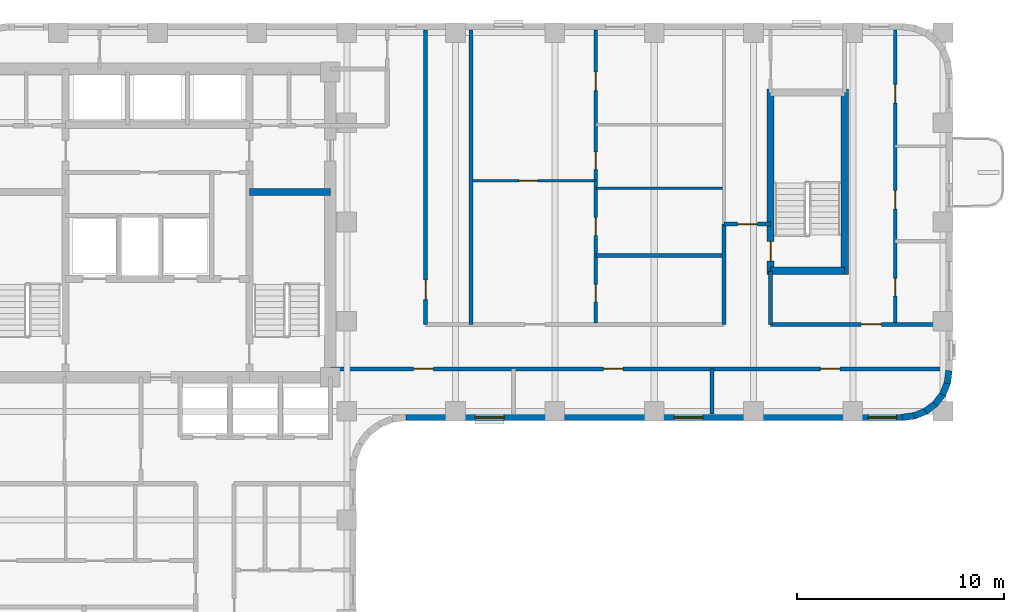
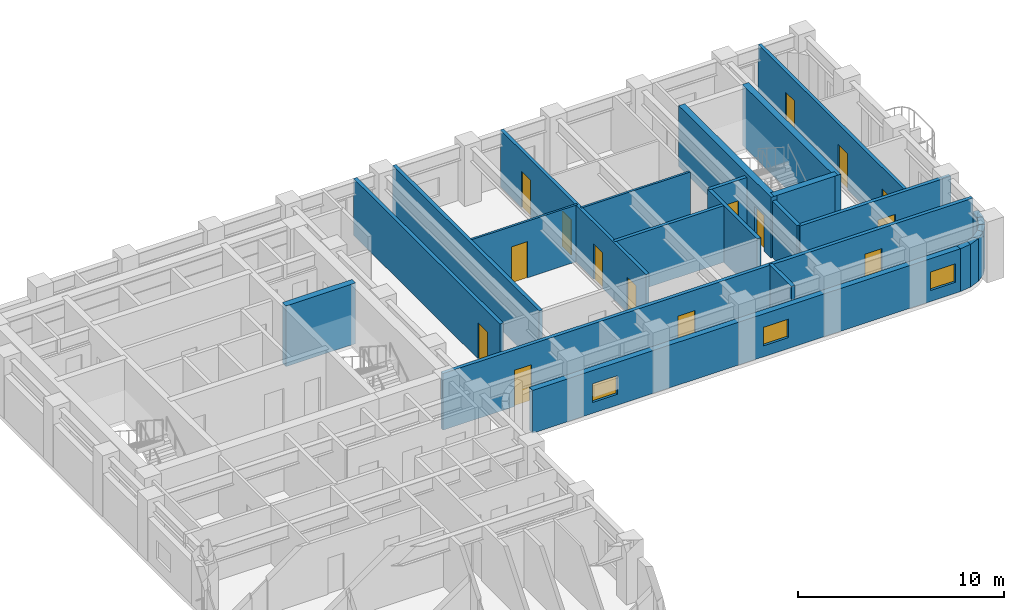
# One storey, part 5 of 10: 24 walls, 15 doors, 3 windows, 18 openings.
"""IFC4 building model written with IfcOpenShell, lengths in metres."""

from ifc_helpers import new_model, si_unit, direction, frame, frame_2d, origin, place, context, subcontext, project, spatial, rectangle, extrude, material, layer, layer_set, type_object, element, fill, save


model = new_model("IFC4")

# Units and contexts
model_context = context("Model", 3, precision=1e-05, world=origin(), true_north=direction((0.0, 1.0)))
body_context = subcontext(model_context, "Body", "Model", "MODEL_VIEW")
ifc_project = project(units=[si_unit("LENGTHUNIT", "METRE"), si_unit("AREAUNIT", "SQUARE_METRE"), si_unit("VOLUMEUNIT", "CUBIC_METRE"), si_unit("PLANEANGLEUNIT", "RADIAN"), si_unit("MASSUNIT", "GRAM", prefix="KILO")], contexts=[model_context])

# Site, building, storey
site_placement = place(None, origin())
site = spatial("IfcSite", under=ifc_project, at=site_placement, CompositionType="ELEMENT")
building_placement = place(site_placement, origin())
building = spatial("IfcBuilding", under=site, at=building_placement, Name="Orvandelia Arch Residences", CompositionType="ELEMENT")
storey_placement = place(building_placement, frame((0.0, 0.0, 139.60009765625)))
storey = spatial("IfcBuildingStorey", under=building, at=storey_placement, Name="L36", CompositionType="ELEMENT", Elevation=139.60009765625)

# Wall
ifc_material_1 = material(Name="Concrete C50/60", Category="concrete")
ifc_layer_1 = layer(ifc_material_1, 0.35009765625, Name="Concrete C50/60", Category="concrete")
ifc_layer_set_1 = layer_set([ifc_layer_1], Name="Concrete C50/60")
wall_type_1 = type_object("IfcWallType", Name="WL-CORE-350", PredefinedType="SHEAR", material=ifc_layer_set_1)
wall_1_placement = place(storey_placement, frame((18.840087890625, 39.85009765625, 0.0), z_axis=(0.0, 0.0, 1.0), x_axis=(1.0, 0.0, 0.0)))
element("IfcWall", 1, at=wall_1_placement, inside=storey, type_object=wall_type_1, Name="Core Shear Wall L36-HZ2", PredefinedType="SHEAR", context=body_context, shape_type="SweptSolid", body=[
    extrude(rectangle(XDim=3.909912109375, YDim=0.35009765625, at=frame_2d((1.955078125, 0.0))), origin(), (0.0, 0.0, 1.0), 3.599853515625),
])

# Wall, opening, door
wall_2_placement = place(storey_placement, frame((44.02001953125, 35.864990234375, 0.0), z_axis=(0.0, 0.0, 1.0), x_axis=(0.0, 1.0, 0.0)))
wall_2 = element("IfcWall", 2, at=wall_2_placement, inside=storey, type_object=wall_type_1, Name="East Stair Core Shear Wall L36-W", PredefinedType="SHEAR", context=body_context, shape_type="SweptSolid", body=[
    extrude(rectangle(XDim=8.969970703125, YDim=0.35009765625, at=frame_2d((4.48486328125, 0.0))), origin(), (0.0, 0.0, 1.0), 3.599853515625),
])
opening_1_placement = place(wall_2_placement, frame((0.64990234375, 0.0, 0.0)))
opening_1 = element("IfcOpeningElement", 3, at=opening_1_placement, cuts=wall_2, Name="Opening D7", PredefinedType="OPENING", context=body_context, shape_type="SweptSolid", body=[
    extrude(rectangle(XDim=0.949951171875, YDim=2.10009765625, at=frame_2d((0.47509765625, 1.050048828125))), frame((0.0, 0.18505859375, 0.0), z_axis=(0.0, -1.0, 0.0), x_axis=(1.0, 0.0, 0.0)), (0.0, 0.0, 1.0), 0.3701171875),
])
ifc_material_2 = material(Name="Pressurised Stairwell Fire Door")
door_type_1 = type_object("IfcDoorType", Name="DR-STAIR-950", OperationType="NOTDEFINED", PredefinedType="DOOR", material=ifc_material_2)
door_1_placement = place(opening_1_placement, origin())
door_1 = element("IfcDoor", 4, at=door_1_placement, inside=storey, type_object=door_type_1, Name="East Stairwell ST-3 Fire Door L36", OperationType="SINGLE_SWING_LEFT", OverallHeight=2.10009765625, OverallWidth=0.949951171875, PredefinedType="DOOR", context=body_context, shape_type="SweptSolid", body=[
    extrude(rectangle(XDim=0.949951171875, YDim=2.10009765625, at=frame_2d((0.47509765625, 1.050048828125))), frame((0.0, 0.02490234375, 0.0), z_axis=(0.0, -1.0, 0.0), x_axis=(1.0, 0.0, 0.0)), (0.0, 0.0, 1.0), 0.050048828125),
])
fill(opening_1, door_1)

# Walls
wall_3_placement = place(storey_placement, frame((47.60009765625, 35.864990234375, 0.0), z_axis=(0.0, 0.0, 1.0), x_axis=(0.0, 1.0, 0.0)))
element("IfcWall", 5, at=wall_3_placement, inside=storey, type_object=wall_type_1, Name="East Stair Core Shear Wall L36-E", PredefinedType="SHEAR", context=body_context, shape_type="SweptSolid", body=[
    extrude(rectangle(XDim=8.969970703125, YDim=0.35009765625, at=frame_2d((4.48486328125, 0.0))), origin(), (0.0, 0.0, 1.0), 3.599853515625),
])
wall_4_placement = place(storey_placement, frame((44.02001953125, 36.0400390625, 0.0), z_axis=(0.0, 0.0, 1.0), x_axis=(1.0, 0.0, 0.0)))
element("IfcWall", 6, at=wall_4_placement, inside=storey, type_object=wall_type_1, Name="East Stair Core Shear Wall L36-S", PredefinedType="SHEAR", context=body_context, shape_type="SweptSolid", body=[
    extrude(rectangle(XDim=3.580078125, YDim=0.35009765625, at=frame_2d((1.7900390625, 0.0))), origin(), (0.0, 0.0, 1.0), 3.599853515625),
])

# Wall, openings, doors
ifc_material_3 = material(Name="Fire-Rated Corridor Partition")
ifc_layer_2 = layer(ifc_material_3, 0.199951171875, Name="Fire-Rated Corridor Partition")
ifc_layer_set_2 = layer_set([ifc_layer_2], Name="Fire-Rated Corridor Partition")
wall_type_2 = type_object("IfcWallType", Name="WL-CORR-200", PredefinedType="PARTITIONING", material=ifc_layer_set_2)
wall_5_placement = place(storey_placement, frame((22.75, 31.300048828125, 0.0), z_axis=(0.0, 0.0, 1.0), x_axis=(1.0, 0.0, 0.0)))
wall_5 = element("IfcWall", 7, at=wall_5_placement, inside=storey, type_object=wall_type_2, Name="Interior Partition Wall WL-L36-ES-S", PredefinedType="PARTITIONING", context=body_context, shape_type="SweptSolid", body=[
    extrude(rectangle(XDim=29.72998046875, YDim=0.199951171875, at=frame_2d((14.864990234375, 0.0))), origin(), (0.0, 0.0, 1.0), 3.35986328125),
])
opening_2_placement = place(wall_5_placement, frame((4.02490234375, 0.0, 0.0)))
opening_2 = element("IfcOpeningElement", 8, at=opening_2_placement, cuts=wall_5, Name="Opening D2", PredefinedType="OPENING", context=body_context, shape_type="SweptSolid", body=[
    extrude(rectangle(XDim=0.949951171875, YDim=2.14990234375, at=frame_2d((0.47509765625, 1.074951171875))), frame((0.0, 0.10986328125, 0.0), z_axis=(0.0, -1.0, 0.0), x_axis=(1.0, 0.0, 0.0)), (0.0, 0.0, 1.0), 0.219970703125),
])
opening_3_placement = place(wall_5_placement, frame((13.199951171875, 0.0, 0.0)))
opening_3 = element("IfcOpeningElement", 9, at=opening_3_placement, cuts=wall_5, Name="Opening D2", PredefinedType="OPENING", context=body_context, shape_type="SweptSolid", body=[
    extrude(rectangle(XDim=0.949951171875, YDim=2.14990234375, at=frame_2d((0.47509765625, 1.074951171875))), frame((0.0, 0.10986328125, 0.0), z_axis=(0.0, -1.0, 0.0), x_axis=(1.0, 0.0, 0.0)), (0.0, 0.0, 1.0), 0.219970703125),
])
opening_4_placement = place(wall_5_placement, frame((23.679931640625, 0.0, 0.0)))
opening_4 = element("IfcOpeningElement", 10, at=opening_4_placement, cuts=wall_5, Name="Opening D2", PredefinedType="OPENING", context=body_context, shape_type="SweptSolid", body=[
    extrude(rectangle(XDim=0.949951171875, YDim=2.14990234375, at=frame_2d((0.47509765625, 1.074951171875))), frame((0.0, 0.10986328125, 0.0), z_axis=(0.0, -1.0, 0.0), x_axis=(1.0, 0.0, 0.0)), (0.0, 0.0, 1.0), 0.219970703125),
])
ifc_material_4 = material(Name="Solid-Core Timber Interior Fire Door", Category="wood")
door_type_2 = type_object("IfcDoorType", Name="DR-APT-950", OperationType="NOTDEFINED", PredefinedType="DOOR", material=ifc_material_4)
door_2_placement = place(opening_2_placement, origin())
door_2 = element("IfcDoor", 11, at=door_2_placement, inside=storey, type_object=door_type_2, Name="DR-L36-ESS-1", OperationType="SINGLE_SWING_LEFT", OverallHeight=2.14990234375, OverallWidth=0.949951171875, PredefinedType="DOOR", context=body_context, shape_type="SweptSolid", body=[
    extrude(rectangle(XDim=0.949951171875, YDim=2.14990234375, at=frame_2d((0.47509765625, 1.074951171875))), frame((0.0, 0.02490234375, 0.0), z_axis=(0.0, -1.0, 0.0), x_axis=(1.0, 0.0, 0.0)), (0.0, 0.0, 1.0), 0.050048828125),
])
fill(opening_2, door_2)
door_3_placement = place(opening_3_placement, origin())
door_3 = element("IfcDoor", 12, at=door_3_placement, inside=storey, type_object=door_type_2, Name="DR-L36-ESS-2", OperationType="SINGLE_SWING_RIGHT", OverallHeight=2.14990234375, OverallWidth=0.949951171875, PredefinedType="DOOR", context=body_context, shape_type="SweptSolid", body=[
    extrude(rectangle(XDim=0.949951171875, YDim=2.14990234375, at=frame_2d((0.47509765625, 1.074951171875))), frame((0.0, 0.02490234375, 0.0), z_axis=(0.0, -1.0, 0.0), x_axis=(1.0, 0.0, 0.0)), (0.0, 0.0, 1.0), 0.050048828125),
])
fill(opening_3, door_3)
door_4_placement = place(opening_4_placement, origin())
door_4 = element("IfcDoor", 13, at=door_4_placement, inside=storey, type_object=door_type_2, Name="DR-L36-ESS-3", OperationType="SINGLE_SWING_LEFT", OverallHeight=2.14990234375, OverallWidth=0.949951171875, PredefinedType="DOOR", context=body_context, shape_type="SweptSolid", body=[
    extrude(rectangle(XDim=0.949951171875, YDim=2.14990234375, at=frame_2d((0.47509765625, 1.074951171875))), frame((0.0, 0.02490234375, 0.0), z_axis=(0.0, -1.0, 0.0), x_axis=(1.0, 0.0, 0.0)), (0.0, 0.0, 1.0), 0.050048828125),
])
fill(opening_4, door_4)

# Wall, opening, door
wall_6_placement = place(storey_placement, frame((44.02001953125, 33.449951171875, 0.0), z_axis=(0.0, 0.0, 1.0), x_axis=(1.0, 0.0, 0.0)))
wall_6 = element("IfcWall", 14, at=wall_6_placement, inside=storey, type_object=wall_type_2, Name="Interior Partition Wall WL-L36-ES-N2", PredefinedType="PARTITIONING", context=body_context, shape_type="SweptSolid", body=[
    extrude(rectangle(XDim=8.4599609375, YDim=0.199951171875, at=frame_2d((4.22998046875, 0.0))), origin(), (0.0, 0.0, 1.0), 3.35986328125),
])
opening_5_placement = place(wall_6_placement, frame((4.37158203125, 0.0, 0.0)))
opening_5 = element("IfcOpeningElement", 15, at=opening_5_placement, cuts=wall_6, Name="Opening D1", PredefinedType="OPENING", context=body_context, shape_type="SweptSolid", body=[
    extrude(rectangle(XDim=0.97998046875, YDim=2.179931640625, at=frame_2d((0.489990234375, 1.08984375))), frame((0.0, 0.10986328125, 0.0), z_axis=(0.0, -1.0, 0.0), x_axis=(1.0, 0.0, 0.0)), (0.0, 0.0, 1.0), 0.219970703125),
])
ifc_material_5 = material(Name="Solid-Core Timber Acoustic Fire Door", Category="wood")
door_type_3 = type_object("IfcDoorType", Name="DR-ENT-980", OperationType="NOTDEFINED", PredefinedType="DOOR", material=ifc_material_5)
door_5_placement = place(opening_5_placement, origin())
door_5 = element("IfcDoor", 16, at=door_5_placement, inside=storey, type_object=door_type_3, Name="Unit L36-07 Entrance Door", OperationType="SINGLE_SWING_LEFT", OverallHeight=2.179931640625, OverallWidth=0.97998046875, PredefinedType="DOOR", context=body_context, shape_type="SweptSolid", body=[
    extrude(rectangle(XDim=0.97998046875, YDim=2.179931640625, at=frame_2d((0.489990234375, 1.08984375))), frame((0.0, 0.02490234375, 0.0), z_axis=(0.0, -1.0, 0.0), x_axis=(1.0, 0.0, 0.0)), (0.0, 0.0, 1.0), 0.050048828125),
])
fill(opening_5, door_5)

wall_7_placement = place(storey_placement, frame((27.35009765625, 33.449951171875, 0.0), z_axis=(0.0, 0.0, 1.0), x_axis=(0.0, 1.0, 0.0)))
wall_7 = element("IfcWall", 17, at=wall_7_placement, inside=storey, type_object=wall_type_2, Name="Interior Partition Wall WL-L36-ES-NCE", PredefinedType="PARTITIONING", context=body_context, shape_type="SweptSolid", body=[
    extrude(rectangle(XDim=14.22998046875, YDim=0.199951171875, at=frame_2d((7.114990234375, 0.0))), origin(), (0.0, 0.0, 1.0), 3.35986328125),
])
opening_6_placement = place(wall_7_placement, frame((1.199951171875, 0.0, 0.0)))
opening_6 = element("IfcOpeningElement", 18, at=opening_6_placement, cuts=wall_7, Name="Opening D2", PredefinedType="OPENING", context=body_context, shape_type="SweptSolid", body=[
    extrude(rectangle(XDim=0.949951171875, YDim=2.14990234375, at=frame_2d((0.47509765625, 1.074951171875))), frame((0.0, 0.10986328125, 0.0), z_axis=(0.0, -1.0, 0.0), x_axis=(1.0, 0.0, 0.0)), (0.0, 0.0, 1.0), 0.219970703125),
])
door_6_placement = place(opening_6_placement, origin())
door_6 = element("IfcDoor", 19, at=door_6_placement, inside=storey, type_object=door_type_2, Name="DR-L36-ESLDY", OperationType="SINGLE_SWING_RIGHT", OverallHeight=2.14990234375, OverallWidth=0.949951171875, PredefinedType="DOOR", context=body_context, shape_type="SweptSolid", body=[
    extrude(rectangle(XDim=0.949951171875, YDim=2.14990234375, at=frame_2d((0.47509765625, 1.074951171875))), frame((0.0, 0.02490234375, 0.0), z_axis=(0.0, -1.0, 0.0), x_axis=(1.0, 0.0, 0.0)), (0.0, 0.0, 1.0), 0.050048828125),
])
fill(opening_6, door_6)

# Wall
wall_8_placement = place(storey_placement, frame((41.780029296875, 33.449951171875, 0.0), z_axis=(0.0, 0.0, 1.0), x_axis=(0.0, 1.0, 0.0)))
element("IfcWall", 20, at=wall_8_placement, inside=storey, type_object=wall_type_2, Name="Interior Partition Wall WL-L36-ES-SW", PredefinedType="PARTITIONING", context=body_context, shape_type="SweptSolid", body=[
    extrude(rectangle(XDim=4.85009765625, YDim=0.199951171875, at=frame_2d((2.425048828125, 0.0))), origin(), (0.0, 0.0, 1.0), 3.35986328125),
])

# Wall, opening, door
wall_9_placement = place(storey_placement, frame((41.780029296875, 38.300048828125, 0.0), z_axis=(0.0, 0.0, 1.0), x_axis=(1.0, 0.0, 0.0)))
wall_9 = element("IfcWall", 21, at=wall_9_placement, inside=storey, type_object=wall_type_2, Name="Interior Partition Wall WL-L36-ES-SN", PredefinedType="PARTITIONING", context=body_context, shape_type="SweptSolid", body=[
    extrude(rectangle(XDim=2.239990234375, YDim=0.199951171875, at=frame_2d((1.1201171875, 0.0))), origin(), (0.0, 0.0, 1.0), 3.35986328125),
])
opening_7_placement = place(wall_9_placement, frame((0.64990234375, 0.0, 0.0)))
opening_7 = element("IfcOpeningElement", 22, at=opening_7_placement, cuts=wall_9, Name="Opening D2", PredefinedType="OPENING", context=body_context, shape_type="SweptSolid", body=[
    extrude(rectangle(XDim=0.949951171875, YDim=2.14990234375, at=frame_2d((0.47509765625, 1.074951171875))), frame((0.0, 0.10986328125, 0.0), z_axis=(0.0, -1.0, 0.0), x_axis=(1.0, 0.0, 0.0)), (0.0, 0.0, 1.0), 0.219970703125),
])
door_7_placement = place(opening_7_placement, origin())
door_7 = element("IfcDoor", 23, at=door_7_placement, inside=storey, type_object=door_type_2, Name="DR-L36-ESSPK", OperationType="SINGLE_SWING_LEFT", OverallHeight=2.14990234375, OverallWidth=0.949951171875, PredefinedType="DOOR", context=body_context, shape_type="SweptSolid", body=[
    extrude(rectangle(XDim=0.949951171875, YDim=2.14990234375, at=frame_2d((0.47509765625, 1.074951171875))), frame((0.0, 0.02490234375, 0.0), z_axis=(0.0, -1.0, 0.0), x_axis=(1.0, 0.0, 0.0)), (0.0, 0.0, 1.0), 0.050048828125),
])
fill(opening_7, door_7)

# Walls
ifc_material_6 = material(Name="Concrete C40/50", Category="concrete")
ifc_layer_3 = layer(ifc_material_6, 0.199951171875, Name="Concrete C40/50", Category="concrete")
ifc_layer_set_3 = layer_set([ifc_layer_3], Name="Concrete C40/50")
wall_type_3 = type_object("IfcWallType", Name="WL-DEM-200", PredefinedType="SOLIDWALL", material=ifc_layer_set_3)
wall_10_placement = place(storey_placement, frame((41.199951171875, 29.1201171875, 0.0), z_axis=(0.0, 0.0, 1.0), x_axis=(0.0, 1.0, 0.0)))
element("IfcWall", 24, at=wall_10_placement, inside=storey, type_object=wall_type_3, Name="Interior Partition Wall WL-L36-ESSD-2", PredefinedType="SOLIDWALL", context=body_context, shape_type="SweptSolid", body=[
    extrude(rectangle(XDim=2.179931640625, YDim=0.199951171875, at=frame_2d((1.08984375, 0.0))), origin(), (0.0, 0.0, 1.0), 3.35986328125),
])
wall_11_placement = place(storey_placement, frame((29.550048828125, 33.449951171875, 0.0), z_axis=(0.0, 0.0, 1.0), x_axis=(0.0, 1.0, 0.0)))
element("IfcWall", 25, at=wall_11_placement, inside=storey, type_object=wall_type_3, Name="Interior Partition Wall WL-L36-ES-LDE", PredefinedType="SOLIDWALL", context=body_context, shape_type="SweptSolid", body=[
    extrude(rectangle(XDim=14.22998046875, YDim=0.199951171875, at=frame_2d((7.114990234375, 0.0))), origin(), (0.0, 0.0, 1.0), 3.35986328125),
])
wall_12_placement = place(storey_placement, frame((44.02001953125, 33.449951171875, 0.0), z_axis=(0.0, 0.0, 1.0), x_axis=(0.0, 1.0, 0.0)))
element("IfcWall", 26, at=wall_12_placement, inside=storey, type_object=wall_type_3, Name="Interior Partition Wall WL-L36-ES-NST3S", PredefinedType="SOLIDWALL", context=body_context, shape_type="SweptSolid", body=[
    extrude(rectangle(XDim=2.590087890625, YDim=0.199951171875, at=frame_2d((1.294921875, 0.0))), origin(), (0.0, 0.0, 1.0), 3.35986328125),
])
ifc_material_7 = material(Name="Precast concrete C40/50", Category="concrete")
ifc_layer_4 = layer(ifc_material_7, 0.320068359375, Name="Precast concrete C40/50", Category="concrete")
ifc_layer_set_4 = layer_set([ifc_layer_4], Name="Precast concrete C40/50")
wall_type_4 = type_object("IfcWallType", Name="WL-EXT-STONE-320", PredefinedType="STANDARD", material=ifc_layer_set_4)
wall_13_placement = place(storey_placement, frame((52.641357421875, 31.220947265625, 0.0), z_axis=(0.0, 0.0, 1.0), x_axis=(-0.130504898859, -0.991447664465, 0.0)))
element("IfcWall", 27, at=wall_13_placement, inside=storey, type_object=wall_type_4, Name="Coral-Limestone Precast Facade Wall L36-015", PredefinedType="STANDARD", context=body_context, shape_type="SweptSolid", body=[
    extrude(rectangle(XDim=0.626708984375, YDim=0.320068359375, at=frame_2d((0.3134765625, 0.0))), origin(), (0.0, 0.0, 1.0), 2.539794921875),
])
wall_14_placement = place(storey_placement, frame((52.5703125, 30.639892578125, 0.0), z_axis=(0.0, 0.0, 1.0), x_axis=(-0.382455093999, -0.923974080304, 0.0)))
element("IfcWall", 28, at=wall_14_placement, inside=storey, type_object=wall_type_4, Name="Coral-Limestone Precast Facade Wall L36-016", PredefinedType="STANDARD", context=body_context, shape_type="SweptSolid", body=[
    extrude(rectangle(XDim=0.626220703125, YDim=0.320068359375, at=frame_2d((0.31298828125, 0.0))), origin(), (0.0, 0.0, 1.0), 2.539794921875),
])
wall_15_placement = place(storey_placement, frame((52.3515625, 30.097412109375, 0.0), z_axis=(0.0, 0.0, 1.0), x_axis=(-0.608693302629, -0.793405610854, 0.0)))
element("IfcWall", 29, at=wall_15_placement, inside=storey, type_object=wall_type_4, Name="Coral-Limestone Precast Facade Wall L36-017", PredefinedType="STANDARD", context=body_context, shape_type="SweptSolid", body=[
    extrude(rectangle(XDim=0.62646484375, YDim=0.320068359375, at=frame_2d((0.313232421875, 0.0))), origin(), (0.0, 0.0, 1.0), 2.539794921875),
])
wall_16_placement = place(storey_placement, frame((51.999755859375, 29.6298828125, 0.0), z_axis=(0.0, 0.0, 1.0), x_axis=(-0.7932174212, -0.608938521285, 0.0)))
element("IfcWall", 30, at=wall_16_placement, inside=storey, type_object=wall_type_4, Name="Coral-Limestone Precast Facade Wall L36-018", PredefinedType="STANDARD", context=body_context, shape_type="SweptSolid", body=[
    extrude(rectangle(XDim=0.626708984375, YDim=0.320068359375, at=frame_2d((0.3134765625, 0.0))), origin(), (0.0, 0.0, 1.0), 2.539794921875),
])
for number, where, z_axis, x_axis, name in (
    (31, (51.538818359375, 29.269287109375, 0.0), (0.0, 0.0, 1.0), (-0.92389335771, -0.382650053678, 0.0), "Coral-Limestone Precast Facade Wall L36-019"),
    (32, (51.000244140625, 29.040283203125, 0.0), (0.0, 0.0, 1.0), (-0.9914410257, -0.130555323746, 0.0), "Coral-Limestone Precast Facade Wall L36-020"),
):
    element("IfcWall", number, at=place(storey_placement, frame(where, z_axis=z_axis, x_axis=x_axis)), inside=storey, type_object=wall_type_4, Name=name, PredefinedType="STANDARD", context=body_context, shape_type="SweptSolid", body=[
        extrude(rectangle(XDim=0.62646484375, YDim=0.320068359375, at=frame_2d((0.313232421875, 0.0))), origin(), (0.0, 0.0, 1.0), 2.539794921875),
    ])

# Wall, openings, windows
wall_17_placement = place(storey_placement, frame((50.39990234375, 28.9599609375, 0.0), z_axis=(0.0, 0.0, 1.0), x_axis=(-1.0, 0.0, 0.0)))
wall_17 = element("IfcWall", 33, at=wall_17_placement, inside=storey, type_object=wall_type_4, Name="Coral-Limestone Precast Facade Wall L36-021", PredefinedType="STANDARD", context=body_context, shape_type="SweptSolid", body=[
    extrude(rectangle(XDim=24.0, YDim=0.320068359375, at=frame_2d((12.0, 0.0))), origin(), (0.0, 0.0, 1.0), 2.539794921875),
])
opening_8_placement = place(wall_17_placement, frame((19.25244140625, 0.0, 0.64990234375)))
opening_8 = element("IfcOpeningElement", 34, at=opening_8_placement, cuts=wall_17, Name="Opening W10", PredefinedType="OPENING", context=body_context, shape_type="SweptSolid", body=[
    extrude(rectangle(XDim=1.39990234375, YDim=1.10009765625, at=frame_2d((0.699951171875, 0.550048828125))), frame((0.0, 0.169921875, 0.0), z_axis=(0.0, -1.0, 0.0), x_axis=(1.0, 0.0, 0.0)), (0.0, 0.0, 1.0), 0.340087890625),
])
opening_9_placement = place(wall_17_placement, frame((9.652587890625, 0.0, 0.64990234375)))
opening_9 = element("IfcOpeningElement", 35, at=opening_9_placement, cuts=wall_17, Name="Opening W10", PredefinedType="OPENING", context=body_context, shape_type="SweptSolid", body=[
    extrude(rectangle(XDim=1.39990234375, YDim=1.10009765625, at=frame_2d((0.699951171875, 0.550048828125))), frame((0.0, 0.169921875, 0.0), z_axis=(0.0, -1.0, 0.0), x_axis=(1.0, 0.0, 0.0)), (0.0, 0.0, 1.0), 0.340087890625),
])
opening_10_placement = place(wall_17_placement, frame((0.282470703125, 0.0, 0.64990234375)))
opening_10 = element("IfcOpeningElement", 36, at=opening_10_placement, cuts=wall_17, Name="Opening W10", PredefinedType="OPENING", context=body_context, shape_type="SweptSolid", body=[
    extrude(rectangle(XDim=1.39990234375, YDim=1.10009765625, at=frame_2d((0.699951171875, 0.550048828125))), frame((0.0, 0.169921875, 0.0), z_axis=(0.0, -1.0, 0.0), x_axis=(1.0, 0.0, 0.0)), (0.0, 0.0, 1.0), 0.340087890625),
])
ifc_material_8 = material(Name="Tempered Low-E Insulated Glazing", Category="glass")
window_type = type_object("IfcWindowType", Name="WIN-CLR-1400x1100", PartitioningType="SINGLE_PANEL", PredefinedType="WINDOW", material=ifc_material_8)
window_1_placement = place(opening_8_placement, origin())
window_1 = element("IfcWindow", 37, at=window_1_placement, inside=storey, type_object=window_type, Name="Recessed Punched Window L36-012", OverallHeight=1.10009765625, OverallWidth=1.39990234375, PartitioningType="SINGLE_PANEL", PredefinedType="WINDOW", context=body_context, shape_type="SweptSolid", body=[
    extrude(rectangle(XDim=1.39990234375, YDim=1.10009765625, at=frame_2d((0.699951171875, 0.550048828125))), frame((0.0, 0.030029296875, 0.0), z_axis=(0.0, -1.0, 0.0), x_axis=(1.0, 0.0, 0.0)), (0.0, 0.0, 1.0), 0.06005859375),
])
fill(opening_8, window_1)
window_2_placement = place(opening_9_placement, origin())
window_2 = element("IfcWindow", 38, at=window_2_placement, inside=storey, type_object=window_type, Name="Recessed Punched Window L36-013", OverallHeight=1.10009765625, OverallWidth=1.39990234375, PartitioningType="SINGLE_PANEL", PredefinedType="WINDOW", context=body_context, shape_type="SweptSolid", body=[
    extrude(rectangle(XDim=1.39990234375, YDim=1.10009765625, at=frame_2d((0.699951171875, 0.550048828125))), frame((0.0, 0.030029296875, 0.0), z_axis=(0.0, -1.0, 0.0), x_axis=(1.0, 0.0, 0.0)), (0.0, 0.0, 1.0), 0.06005859375),
])
fill(opening_9, window_2)
window_3_placement = place(opening_10_placement, origin())
window_3 = element("IfcWindow", 39, at=window_3_placement, inside=storey, type_object=window_type, Name="Recessed Punched Window L36-014", OverallHeight=1.10009765625, OverallWidth=1.39990234375, PartitioningType="SINGLE_PANEL", PredefinedType="WINDOW", context=body_context, shape_type="SweptSolid", body=[
    extrude(rectangle(XDim=1.39990234375, YDim=1.10009765625, at=frame_2d((0.699951171875, 0.550048828125))), frame((0.0, 0.030029296875, 0.0), z_axis=(0.0, -1.0, 0.0), x_axis=(1.0, 0.0, 0.0)), (0.0, 0.0, 1.0), 0.06005859375),
])
fill(opening_10, window_3)

# Wall, opening, door
ifc_material_9 = material(Name="Lightweight Gypsum Stud Partition")
ifc_layer_5 = layer(ifc_material_9, 0.1201171875, Name="Lightweight Gypsum Stud Partition")
ifc_layer_set_5 = layer_set([ifc_layer_5], Name="Lightweight Gypsum Stud Partition")
wall_type_5 = type_object("IfcWallType", Name="WL-PART-120", PredefinedType="PARTITIONING", material=ifc_layer_set_5)
wall_18_placement = place(storey_placement, frame((29.6298828125, 40.382080078125, 0.0), z_axis=(0.0, 0.0, 1.0), x_axis=(1.0, 0.0, 0.0)))
wall_18 = element("IfcWall", 40, at=wall_18_placement, inside=storey, type_object=wall_type_5, Name="Interior Partition Wall WL-L36-U06-DIN", PredefinedType="PARTITIONING", context=body_context, shape_type="SweptSolid", body=[
    extrude(rectangle(XDim=5.947021484375, YDim=0.1201171875, at=frame_2d((2.9736328125, 0.0))), origin(), (0.0, 0.0, 1.0), 3.35986328125),
])
opening_11_placement = place(wall_18_placement, frame((2.235107421875, 0.0, 0.0)))
opening_11 = element("IfcOpeningElement", 41, at=opening_11_placement, cuts=wall_18, Name="Opening D3", PredefinedType="OPENING", context=body_context, shape_type="SweptSolid", body=[
    extrude(rectangle(XDim=0.89990234375, YDim=2.14990234375, at=frame_2d((0.449951171875, 1.074951171875))), frame((0.0, 0.070068359375, 0.0), z_axis=(0.0, -1.0, 0.0), x_axis=(1.0, 0.0, 0.0)), (0.0, 0.0, 1.0), 0.14013671875),
])
ifc_material_10 = material(Name="Engineered Timber Flush Door", Category="wood")
door_type_4 = type_object("IfcDoorType", Name="DR-INT-900", OperationType="NOTDEFINED", PredefinedType="DOOR", material=ifc_material_10)
door_8_placement = place(opening_11_placement, origin())
door_8 = element("IfcDoor", 42, at=door_8_placement, inside=storey, type_object=door_type_4, Name="DR-L36-U06-DIN", OperationType="SINGLE_SWING_LEFT", OverallHeight=2.14990234375, OverallWidth=0.89990234375, PredefinedType="DOOR", context=body_context, shape_type="SweptSolid", body=[
    extrude(rectangle(XDim=0.89990234375, YDim=2.14990234375, at=frame_2d((0.449951171875, 1.074951171875))), frame((0.0, 0.02490234375, 0.0), z_axis=(0.0, -1.0, 0.0), x_axis=(1.0, 0.0, 0.0)), (0.0, 0.0, 1.0), 0.050048828125),
])
fill(opening_11, door_8)

# Wall
wall_19_placement = place(storey_placement, frame((35.576904296875, 40.0419921875, 0.0), z_axis=(0.0, 0.0, 1.0), x_axis=(1.0, 0.0, 0.0)))
element("IfcWall", 43, at=wall_19_placement, inside=storey, type_object=wall_type_5, Name="Interior Partition Wall WL-L36-U06-H1B", PredefinedType="PARTITIONING", context=body_context, shape_type="SweptSolid", body=[
    extrude(rectangle(XDim=6.123046875, YDim=0.1201171875, at=frame_2d((3.0615234375, 0.0))), origin(), (0.0, 0.0, 1.0), 3.35986328125),
])

# Wall, openings, doors
ifc_material_11 = material(Name="Moisture-Resistant Plumbing Wall")
ifc_layer_6 = layer(ifc_material_11, 0.179931640625, Name="Moisture-Resistant Plumbing Wall")
ifc_layer_set_6 = layer_set([ifc_layer_6], Name="Moisture-Resistant Plumbing Wall")
wall_type_6 = type_object("IfcWallType", Name="WL-WET-180", PredefinedType="PLUMBINGWALL", material=ifc_layer_set_6)
wall_20_placement = place(storey_placement, frame((35.576904296875, 33.530029296875, 0.0), z_axis=(0.0, 0.0, 1.0), x_axis=(0.0, 1.0, 0.0)))
wall_20 = element("IfcWall", 44, at=wall_20_placement, inside=storey, type_object=wall_type_6, Name="Interior Partition Wall WL-L36-U06-VT", PredefinedType="PLUMBINGWALL", context=body_context, shape_type="SweptSolid", body=[
    extrude(rectangle(XDim=14.14990234375, YDim=0.179931640625, at=frame_2d((7.074951171875, 0.0))), origin(), (0.0, 0.0, 1.0), 3.35986328125),
])
opening_12_placement = place(wall_20_placement, frame((0.99267578125, 0.0, 0.0)))
opening_12 = element("IfcOpeningElement", 45, at=opening_12_placement, cuts=wall_20, Name="Opening D4", PredefinedType="OPENING", context=body_context, shape_type="SweptSolid", body=[
    extrude(rectangle(XDim=0.860107421875, YDim=2.10009765625, at=frame_2d((0.43017578125, 1.050048828125))), frame((0.0, 0.10009765625, 0.0), z_axis=(0.0, -1.0, 0.0), x_axis=(1.0, 0.0, 0.0)), (0.0, 0.0, 1.0), 0.199951171875),
])
opening_13_placement = place(wall_20_placement, frame((4.226318359375, 0.0, 0.0)))
opening_13 = element("IfcOpeningElement", 46, at=opening_13_placement, cuts=wall_20, Name="Opening D4", PredefinedType="OPENING", context=body_context, shape_type="SweptSolid", body=[
    extrude(rectangle(XDim=0.860107421875, YDim=2.10009765625, at=frame_2d((0.43017578125, 1.050048828125))), frame((0.0, 0.10009765625, 0.0), z_axis=(0.0, -1.0, 0.0), x_axis=(1.0, 0.0, 0.0)), (0.0, 0.0, 1.0), 0.199951171875),
])
opening_14_placement = place(wall_20_placement, frame((7.396240234375, 0.0, 0.0)))
opening_14 = element("IfcOpeningElement", 47, at=opening_14_placement, cuts=wall_20, Name="Opening D4", PredefinedType="OPENING", context=body_context, shape_type="SweptSolid", body=[
    extrude(rectangle(XDim=0.860107421875, YDim=2.10009765625, at=frame_2d((0.43017578125, 1.050048828125))), frame((0.0, 0.10009765625, 0.0), z_axis=(0.0, -1.0, 0.0), x_axis=(1.0, 0.0, 0.0)), (0.0, 0.0, 1.0), 0.199951171875),
])
opening_15_placement = place(wall_20_placement, frame((11.2119140625, 0.0, 0.0)))
opening_15 = element("IfcOpeningElement", 48, at=opening_15_placement, cuts=wall_20, Name="Opening D3", PredefinedType="OPENING", context=body_context, shape_type="SweptSolid", body=[
    extrude(rectangle(XDim=0.89990234375, YDim=2.14990234375, at=frame_2d((0.449951171875, 1.074951171875))), frame((0.0, 0.10009765625, 0.0), z_axis=(0.0, -1.0, 0.0), x_axis=(1.0, 0.0, 0.0)), (0.0, 0.0, 1.0), 0.199951171875),
])
door_9_placement = place(opening_15_placement, origin())
door_9 = element("IfcDoor", 49, at=door_9_placement, inside=storey, type_object=door_type_4, Name="DR-L36-U06-BD1", OperationType="SINGLE_SWING_RIGHT", OverallHeight=2.14990234375, OverallWidth=0.89990234375, PredefinedType="DOOR", context=body_context, shape_type="SweptSolid", body=[
    extrude(rectangle(XDim=0.89990234375, YDim=2.14990234375, at=frame_2d((0.449951171875, 1.074951171875))), frame((0.0, 0.02490234375, 0.0), z_axis=(0.0, -1.0, 0.0), x_axis=(1.0, 0.0, 0.0)), (0.0, 0.0, 1.0), 0.050048828125),
])
fill(opening_15, door_9)
ifc_material_12 = material(Name="Moisture-Sealed Timber Bathroom Door", Category="wood")
door_type_5 = type_object("IfcDoorType", Name="DR-WET-900", OperationType="NOTDEFINED", PredefinedType="DOOR", material=ifc_material_12)
door_10_placement = place(opening_12_placement, origin())
door_10 = element("IfcDoor", 50, at=door_10_placement, inside=storey, type_object=door_type_5, Name="DR-L36-U06-BTH", OperationType="SINGLE_SWING_LEFT", OverallHeight=2.10009765625, OverallWidth=0.860107421875, PredefinedType="DOOR", context=body_context, shape_type="SweptSolid", body=[
    extrude(rectangle(XDim=0.860107421875, YDim=2.10009765625, at=frame_2d((0.43017578125, 1.050048828125))), frame((0.0, 0.02490234375, 0.0), z_axis=(0.0, -1.0, 0.0), x_axis=(1.0, 0.0, 0.0)), (0.0, 0.0, 1.0), 0.050048828125),
])
fill(opening_12, door_10)
door_11_placement = place(opening_13_placement, origin())
door_11 = element("IfcDoor", 51, at=door_11_placement, inside=storey, type_object=door_type_5, Name="DR-L36-U06-KIT", OperationType="SINGLE_SWING_RIGHT", OverallHeight=2.10009765625, OverallWidth=0.860107421875, PredefinedType="DOOR", context=body_context, shape_type="SweptSolid", body=[
    extrude(rectangle(XDim=0.860107421875, YDim=2.10009765625, at=frame_2d((0.43017578125, 1.050048828125))), frame((0.0, 0.02490234375, 0.0), z_axis=(0.0, -1.0, 0.0), x_axis=(1.0, 0.0, 0.0)), (0.0, 0.0, 1.0), 0.050048828125),
])
fill(opening_13, door_11)
door_12_placement = place(opening_14_placement, origin())
door_12 = element("IfcDoor", 52, at=door_12_placement, inside=storey, type_object=door_type_5, Name="DR-L36-U06-STDY", OperationType="SINGLE_SWING_LEFT", OverallHeight=2.10009765625, OverallWidth=0.860107421875, PredefinedType="DOOR", context=body_context, shape_type="SweptSolid", body=[
    extrude(rectangle(XDim=0.860107421875, YDim=2.10009765625, at=frame_2d((0.43017578125, 1.050048828125))), frame((0.0, 0.02490234375, 0.0), z_axis=(0.0, -1.0, 0.0), x_axis=(1.0, 0.0, 0.0)), (0.0, 0.0, 1.0), 0.050048828125),
])
fill(opening_14, door_12)

# Wall
wall_21_placement = place(storey_placement, frame((35.576904296875, 36.785888671875, 0.0), z_axis=(0.0, 0.0, 1.0), x_axis=(1.0, 0.0, 0.0)))
element("IfcWall", 53, at=wall_21_placement, inside=storey, type_object=wall_type_6, Name="Interior Partition Wall WL-L36-U06-H1", PredefinedType="PLUMBINGWALL", context=body_context, shape_type="SweptSolid", body=[
    extrude(rectangle(XDim=6.123046875, YDim=0.179931640625, at=frame_2d((3.0615234375, 0.0))), origin(), (0.0, 0.0, 1.0), 3.35986328125),
])

# Wall, openings, doors
wall_22_placement = place(storey_placement, frame((50.04296875, 33.550048828125, 0.0), z_axis=(0.0, 0.0, 1.0), x_axis=(0.0, 1.0, 0.0)))
wall_22 = element("IfcWall", 54, at=wall_22_placement, inside=storey, type_object=wall_type_6, Name="Interior Partition Wall WL-L36-U07-VT", PredefinedType="PLUMBINGWALL", context=body_context, shape_type="SweptSolid", body=[
    extrude(rectangle(XDim=14.1298828125, YDim=0.179931640625, at=frame_2d((7.06494140625, 0.0))), origin(), (0.0, 0.0, 1.0), 3.35986328125),
])
opening_16_placement = place(wall_22_placement, frame((1.26708984375, 0.0, 0.0)))
opening_16 = element("IfcOpeningElement", 55, at=opening_16_placement, cuts=wall_22, Name="Opening D4", PredefinedType="OPENING", context=body_context, shape_type="SweptSolid", body=[
    extrude(rectangle(XDim=0.860107421875, YDim=2.10009765625, at=frame_2d((0.43017578125, 1.050048828125))), frame((0.0, 0.10009765625, 0.0), z_axis=(0.0, -1.0, 0.0), x_axis=(1.0, 0.0, 0.0)), (0.0, 0.0, 1.0), 0.199951171875),
])
opening_17_placement = place(wall_22_placement, frame((5.467529296875, 0.0, 0.0)))
opening_17 = element("IfcOpeningElement", 56, at=opening_17_placement, cuts=wall_22, Name="Opening D3", PredefinedType="OPENING", context=body_context, shape_type="SweptSolid", body=[
    extrude(rectangle(XDim=0.89990234375, YDim=2.14990234375, at=frame_2d((0.449951171875, 1.074951171875))), frame((0.0, 0.10009765625, 0.0), z_axis=(0.0, -1.0, 0.0), x_axis=(1.0, 0.0, 0.0)), (0.0, 0.0, 1.0), 0.199951171875),
])
opening_18_placement = place(wall_22_placement, frame((10.595703125, 0.0, 0.0)))
opening_18 = element("IfcOpeningElement", 57, at=opening_18_placement, cuts=wall_22, Name="Opening D3", PredefinedType="OPENING", context=body_context, shape_type="SweptSolid", body=[
    extrude(rectangle(XDim=0.89990234375, YDim=2.14990234375, at=frame_2d((0.449951171875, 1.074951171875))), frame((0.0, 0.10009765625, 0.0), z_axis=(0.0, -1.0, 0.0), x_axis=(1.0, 0.0, 0.0)), (0.0, 0.0, 1.0), 0.199951171875),
])
door_13_placement = place(opening_17_placement, origin())
door_13 = element("IfcDoor", 58, at=door_13_placement, inside=storey, type_object=door_type_4, Name="DR-L36-U07-KIT", OperationType="SINGLE_SWING_LEFT", OverallHeight=2.14990234375, OverallWidth=0.89990234375, PredefinedType="DOOR", context=body_context, shape_type="SweptSolid", body=[
    extrude(rectangle(XDim=0.89990234375, YDim=2.14990234375, at=frame_2d((0.449951171875, 1.074951171875))), frame((0.0, 0.02490234375, 0.0), z_axis=(0.0, -1.0, 0.0), x_axis=(1.0, 0.0, 0.0)), (0.0, 0.0, 1.0), 0.050048828125),
])
fill(opening_17, door_13)
door_14_placement = place(opening_18_placement, origin())
door_14 = element("IfcDoor", 59, at=door_14_placement, inside=storey, type_object=door_type_4, Name="DR-L36-U07-BD1", OperationType="SINGLE_SWING_RIGHT", OverallHeight=2.14990234375, OverallWidth=0.89990234375, PredefinedType="DOOR", context=body_context, shape_type="SweptSolid", body=[
    extrude(rectangle(XDim=0.89990234375, YDim=2.14990234375, at=frame_2d((0.449951171875, 1.074951171875))), frame((0.0, 0.02490234375, 0.0), z_axis=(0.0, -1.0, 0.0), x_axis=(1.0, 0.0, 0.0)), (0.0, 0.0, 1.0), 0.050048828125),
])
fill(opening_18, door_14)
door_15_placement = place(opening_16_placement, origin())
door_15 = element("IfcDoor", 60, at=door_15_placement, inside=storey, type_object=door_type_5, Name="DR-L36-U07-BTH", OperationType="SINGLE_SWING_RIGHT", OverallHeight=2.10009765625, OverallWidth=0.860107421875, PredefinedType="DOOR", context=body_context, shape_type="SweptSolid", body=[
    extrude(rectangle(XDim=0.860107421875, YDim=2.10009765625, at=frame_2d((0.43017578125, 1.050048828125))), frame((0.0, 0.02490234375, 0.0), z_axis=(0.0, -1.0, 0.0), x_axis=(1.0, 0.0, 0.0)), (0.0, 0.0, 1.0), 0.050048828125),
])
fill(opening_16, door_15)

save(model, "model.ifc")
